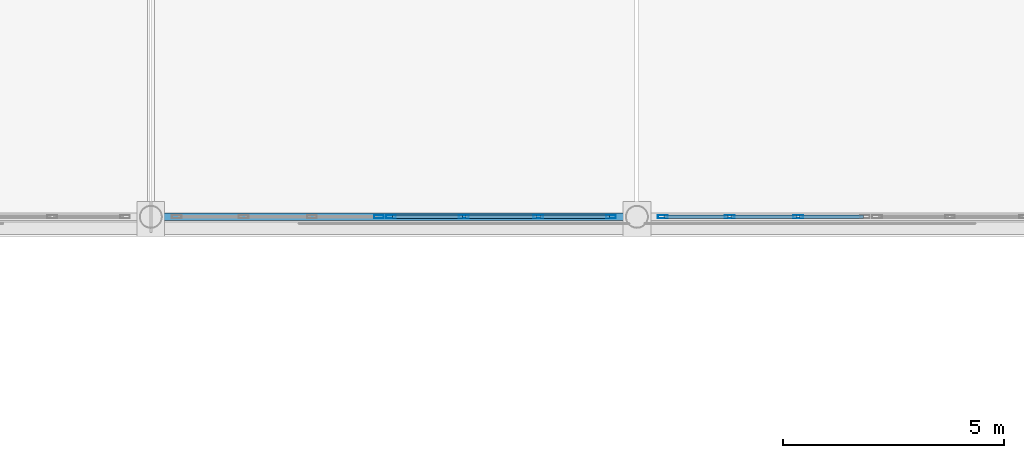
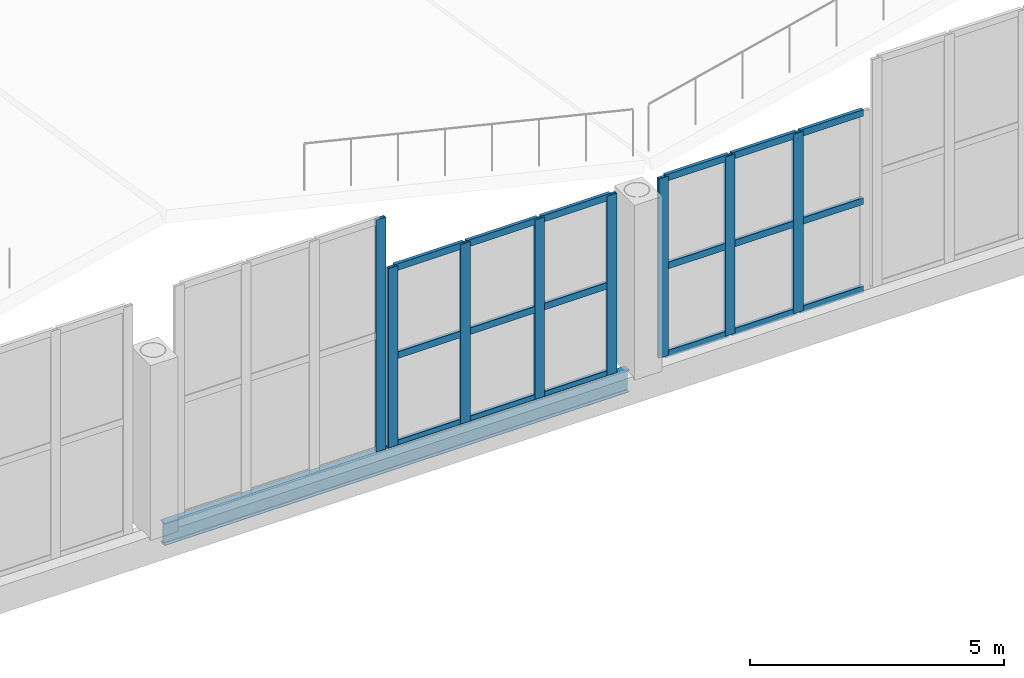
# One storey, part 16 of 120: 26 members, 1 beam, 3 elements without a shape of their own.
"""IFC4 building model written with IfcOpenShell, lengths in metres."""

from ifc_helpers import new_model, si_unit, direction, frame, origin, origin_2d, place, context, subcontext, project, spatial, hollow_rectangle, i_section, extrude, material, material_profile, profile_set, type_object, element, aggregate, save


model = new_model("IFC4")

# Units and contexts
model_context = context("Model", 3, precision=1e-05, world=origin(), true_north=direction((0.0, 1.0)))
body_context = subcontext(model_context, "Body", "Model", "MODEL_VIEW")
ifc_project = project(units=[si_unit("LENGTHUNIT", "METRE"), si_unit("AREAUNIT", "SQUARE_METRE"), si_unit("VOLUMEUNIT", "CUBIC_METRE"), si_unit("PLANEANGLEUNIT", "RADIAN"), si_unit("MASSUNIT", "GRAM", prefix="KILO")], contexts=[model_context])

# Site, building, storey
site_placement = place(None, origin())
site = spatial("IfcSite", under=ifc_project, at=site_placement, CompositionType="ELEMENT")
building_placement = place(site_placement, origin())
building = spatial("IfcBuilding", under=site, at=building_placement, Name="Caurita Quay Ferry Terminal", CompositionType="ELEMENT")
storey_placement = place(building_placement, frame((0.0, 0.0, 9.89990234375)))
storey = spatial("IfcBuildingStorey", under=building, at=storey_placement, Name="L02", CompositionType="ELEMENT", Elevation=9.89990234375)

# Beam
ifc_material_1 = material(Name="Structural steel ASTM A992 Gr. 50", Category="steel")
ifc_material_profile_1 = material_profile(ifc_material_1, i_section(OverallWidth=0.16650390625, OverallDepth=0.535888671875, WebThickness=0.01025390625, FlangeThickness=0.0166015625, FilletRadius=0.013916015625, at=origin_2d()), Name="W21X57")
ifc_profile_set_1 = profile_set([ifc_material_profile_1], Name="Structural steel ASTM A992 Gr. 50")
beam_type = type_object("IfcBeamType", Name="BM-SP-W21B", PredefinedType="SPANDREL", material=ifc_profile_set_1)
beam_placement = place(storey_placement, frame((33.219970703125, 34.60009765625, -0.267822265625), z_axis=(1.0, 0.0, 0.0), x_axis=(0.0, 1.0, 0.0)))
element("IfcBeam", 1, at=beam_placement, inside=storey, type_object=beam_type, Name="V1 Waterside Clerestory Sill Spandrel 33", PredefinedType="SPANDREL", context=body_context, shape_type="SweptSolid", body=[
    extrude(i_section(OverallWidth=0.16650390625, OverallDepth=0.535888671875, WebThickness=0.01025390625, FlangeThickness=0.0166015625, FilletRadius=0.013916015625, at=origin_2d()), origin(), (0.0, 0.0, 1.0), 10.56005859375),
])

# Curtain wall, member
ifc_material_2 = material(Name="Laminated solar-control insulated glass", Category="glass")
curtain_wall_type_1 = type_object("IfcCurtainWallType", Name="CW-SYS-03", PredefinedType="NOTDEFINED", material=ifc_material_2)
curtain_wall_1_placement = place(storey_placement, origin())
curtain_wall_1 = element("IfcCurtainWall", 2, at=curtain_wall_1_placement, inside=storey, type_object=curtain_wall_type_1, Name="Folded Roof Clerestory FB-02-S3", PredefinedType="NOTDEFINED")
ifc_material_3 = material(Name="Anodized aluminium 6063-T6", Category="aluminium")
ifc_material_profile_2 = material_profile(ifc_material_3, hollow_rectangle(XDim=0.074951171875, YDim=0.219970703125, WallThickness=0.00390625, at=origin_2d()), Name="ALU-MUL-75X220")
ifc_profile_set_2 = profile_set([ifc_material_profile_2], Name="Anodized aluminium 6063-T6")
member_type_1 = type_object("IfcMemberType", Name="CW-MUL-220", PredefinedType="MULLION", material=ifc_profile_set_2)
member_1_placement = place(storey_placement, frame((38.16259765625, 34.60009765625, 0.0), z_axis=(0.0, 0.0, 1.0), x_axis=(0.0, 1.0, 0.0)))
member_1 = element("IfcMember", 3, at=member_1_placement, type_object=member_type_1, Name="CW-CLR-011 Mullion 4", PredefinedType="MULLION", context=body_context, shape_type="SweptSolid", body=[
    extrude(hollow_rectangle(XDim=0.074951171875, YDim=0.219970703125, WallThickness=0.00390625, at=origin_2d()), origin(), (0.0, 0.0, 1.0), 5.572998046875),
])
aggregate(curtain_wall_1, [member_1])

# Curtain wall, members
curtain_wall_type_2 = type_object("IfcCurtainWallType", Name="CW-SYS-04", PredefinedType="NOTDEFINED", material=ifc_material_2)
curtain_wall_2_placement = place(storey_placement, origin())
curtain_wall_2 = element("IfcCurtainWall", 4, at=curtain_wall_2_placement, inside=storey, type_object=curtain_wall_type_2, Name="Folded Roof Clerestory FB-02-S4", PredefinedType="NOTDEFINED")
member_2_placement = place(storey_placement, frame((38.4375, 34.60009765625, 0.0), z_axis=(0.0, 0.0, 1.0), x_axis=(0.0, 1.0, 0.0)))
member_2 = element("IfcMember", 5, at=member_2_placement, type_object=member_type_1, Name="CW-CLR-012 Mullion 1", PredefinedType="MULLION", context=body_context, shape_type="SweptSolid", body=[
    extrude(hollow_rectangle(XDim=0.074951171875, YDim=0.219970703125, WallThickness=0.00390625, at=origin_2d()), origin(), (0.0, 0.0, 1.0), 4.31298828125),
])
member_3_placement = place(storey_placement, frame((40.083251953125, 34.60009765625, 0.0), z_axis=(0.0, 0.0, 1.0), x_axis=(0.0, 1.0, 0.0)))
member_3 = element("IfcMember", 6, at=member_3_placement, type_object=member_type_1, Name="CW-CLR-012 Mullion 2", PredefinedType="MULLION", context=body_context, shape_type="SweptSolid", body=[
    extrude(hollow_rectangle(XDim=0.074951171875, YDim=0.219970703125, WallThickness=0.00390625, at=origin_2d()), origin(), (0.0, 0.0, 1.0), 4.31298828125),
])
member_4_placement = place(storey_placement, frame((41.7666015625, 34.60009765625, 0.0), z_axis=(0.0, 0.0, 1.0), x_axis=(0.0, 1.0, 0.0)))
member_4 = element("IfcMember", 7, at=member_4_placement, type_object=member_type_1, Name="CW-CLR-012 Mullion 3", PredefinedType="MULLION", context=body_context, shape_type="SweptSolid", body=[
    extrude(hollow_rectangle(XDim=0.074951171875, YDim=0.219970703125, WallThickness=0.00390625, at=origin_2d()), origin(), (0.0, 0.0, 1.0), 4.31298828125),
])
member_5_placement = place(storey_placement, frame((43.41259765625, 34.60009765625, 0.0), z_axis=(0.0, 0.0, 1.0), x_axis=(0.0, 1.0, 0.0)))
member_5 = element("IfcMember", 8, at=member_5_placement, type_object=member_type_1, Name="CW-CLR-012 Mullion 4", PredefinedType="MULLION", context=body_context, shape_type="SweptSolid", body=[
    extrude(hollow_rectangle(XDim=0.074951171875, YDim=0.219970703125, WallThickness=0.00390625, at=origin_2d()), origin(), (0.0, 0.0, 1.0), 4.31298828125),
])

curtain_wall_type_3 = type_object("IfcCurtainWallType", Name="CW-SYS-01", PredefinedType="NOTDEFINED", material=ifc_material_2)
curtain_wall_3_placement = place(storey_placement, origin())
curtain_wall_3 = element("IfcCurtainWall", 9, at=curtain_wall_3_placement, inside=storey, type_object=curtain_wall_type_3, Name="Folded Roof Clerestory FB-03-S1", PredefinedType="NOTDEFINED")
member_6_placement = place(storey_placement, frame((44.58740234375, 34.60009765625, 0.0), z_axis=(0.0, 0.0, 1.0), x_axis=(0.0, 1.0, 0.0)))
member_6 = element("IfcMember", 10, at=member_6_placement, type_object=member_type_1, Name="CW-CLR-017 Mullion 1", PredefinedType="MULLION", context=body_context, shape_type="SweptSolid", body=[
    extrude(hollow_rectangle(XDim=0.074951171875, YDim=0.219970703125, WallThickness=0.00390625, at=origin_2d()), origin(), (0.0, 0.0, 1.0), 4.31298828125),
])
member_7_placement = place(storey_placement, frame((46.10009765625, 34.60009765625, 0.0), z_axis=(0.0, 0.0, 1.0), x_axis=(0.0, 1.0, 0.0)))
member_7 = element("IfcMember", 11, at=member_7_placement, type_object=member_type_1, Name="CW-CLR-017 Mullion 2", PredefinedType="MULLION", context=body_context, shape_type="SweptSolid", body=[
    extrude(hollow_rectangle(XDim=0.074951171875, YDim=0.219970703125, WallThickness=0.00390625, at=origin_2d()), origin(), (0.0, 0.0, 1.0), 4.31298828125),
])
member_8_placement = place(storey_placement, frame((47.64990234375, 34.60009765625, 0.0), z_axis=(0.0, 0.0, 1.0), x_axis=(0.0, 1.0, 0.0)))
member_8 = element("IfcMember", 12, at=member_8_placement, type_object=member_type_1, Name="CW-CLR-017 Mullion 3", PredefinedType="MULLION", context=body_context, shape_type="SweptSolid", body=[
    extrude(hollow_rectangle(XDim=0.074951171875, YDim=0.219970703125, WallThickness=0.00390625, at=origin_2d()), origin(), (0.0, 0.0, 1.0), 4.31298828125),
])

# Member
ifc_material_profile_3 = material_profile(ifc_material_3, hollow_rectangle(XDim=0.074951171875, YDim=0.159912109375, WallThickness=0.00390625, at=origin_2d()), Name="ALU-TRN-75X160")
ifc_profile_set_3 = profile_set([ifc_material_profile_3], Name="Anodized aluminium 6063-T6")
member_type_2 = type_object("IfcMemberType", Name="CW-TRN-160", PredefinedType="USERDEFINED", material=ifc_profile_set_3)
member_9_placement = place(storey_placement, frame((38.472900390625, 34.60009765625, 0.03759765625), z_axis=(1.0, 0.0, 0.0), x_axis=(0.0, 1.0, 0.0)))
member_9 = element("IfcMember", 13, at=member_9_placement, type_object=member_type_2, Name="CW-CLR-012 Transom 1", ObjectType="TRANSOM", PredefinedType="USERDEFINED", context=body_context, shape_type="SweptSolid", body=[
    extrude(hollow_rectangle(XDim=0.074951171875, YDim=0.159912109375, WallThickness=0.00390625, at=origin_2d()), origin(), (0.0, 0.0, 1.0), 1.574951171875),
])

member_10_placement = place(storey_placement, frame((38.472900390625, 34.60009765625, 2.156494140625), z_axis=(1.0, 0.0, 0.0), x_axis=(0.0, 1.0, 0.0)))
member_10 = element("IfcMember", 14, at=member_10_placement, type_object=member_type_2, Name="CW-CLR-012 Transom 2", ObjectType="TRANSOM", PredefinedType="USERDEFINED", context=body_context, shape_type="SweptSolid", body=[
    extrude(hollow_rectangle(XDim=0.074951171875, YDim=0.159912109375, WallThickness=0.00390625, at=origin_2d()), origin(), (0.0, 0.0, 1.0), 1.574951171875),
])

member_11_placement = place(storey_placement, frame((38.472900390625, 34.60009765625, 4.275634765625), z_axis=(1.0, 0.0, 0.0), x_axis=(0.0, 1.0, 0.0)))
member_11 = element("IfcMember", 15, at=member_11_placement, type_object=member_type_2, Name="CW-CLR-012 Transom 3", ObjectType="TRANSOM", PredefinedType="USERDEFINED", context=body_context, shape_type="SweptSolid", body=[
    extrude(hollow_rectangle(XDim=0.074951171875, YDim=0.159912109375, WallThickness=0.00390625, at=origin_2d()), origin(), (0.0, 0.0, 1.0), 1.574951171875),
])

member_12_placement = place(storey_placement, frame((40.118896484375, 34.60009765625, 0.03759765625), z_axis=(1.0, 0.0, 0.0), x_axis=(0.0, 1.0, 0.0)))
member_12 = element("IfcMember", 16, at=member_12_placement, type_object=member_type_2, Name="CW-CLR-012 Transom 4", ObjectType="TRANSOM", PredefinedType="USERDEFINED", context=body_context, shape_type="SweptSolid", body=[
    extrude(hollow_rectangle(XDim=0.074951171875, YDim=0.159912109375, WallThickness=0.00390625, at=origin_2d()), origin(), (0.0, 0.0, 1.0), 1.6123046875),
])

member_13_placement = place(storey_placement, frame((40.118896484375, 34.60009765625, 2.156494140625), z_axis=(1.0, 0.0, 0.0), x_axis=(0.0, 1.0, 0.0)))
member_13 = element("IfcMember", 17, at=member_13_placement, type_object=member_type_2, Name="CW-CLR-012 Transom 5", ObjectType="TRANSOM", PredefinedType="USERDEFINED", context=body_context, shape_type="SweptSolid", body=[
    extrude(hollow_rectangle(XDim=0.074951171875, YDim=0.159912109375, WallThickness=0.00390625, at=origin_2d()), origin(), (0.0, 0.0, 1.0), 1.6123046875),
])

member_14_placement = place(storey_placement, frame((40.118896484375, 34.60009765625, 4.275634765625), z_axis=(1.0, 0.0, 0.0), x_axis=(0.0, 1.0, 0.0)))
member_14 = element("IfcMember", 18, at=member_14_placement, type_object=member_type_2, Name="CW-CLR-012 Transom 6", ObjectType="TRANSOM", PredefinedType="USERDEFINED", context=body_context, shape_type="SweptSolid", body=[
    extrude(hollow_rectangle(XDim=0.074951171875, YDim=0.159912109375, WallThickness=0.00390625, at=origin_2d()), origin(), (0.0, 0.0, 1.0), 1.6123046875),
])

member_15_placement = place(storey_placement, frame((41.80224609375, 34.60009765625, 0.03759765625), z_axis=(1.0, 0.0, 0.0), x_axis=(0.0, 1.0, 0.0)))
member_15 = element("IfcMember", 19, at=member_15_placement, type_object=member_type_2, Name="CW-CLR-012 Transom 7", ObjectType="TRANSOM", PredefinedType="USERDEFINED", context=body_context, shape_type="SweptSolid", body=[
    extrude(hollow_rectangle(XDim=0.074951171875, YDim=0.159912109375, WallThickness=0.00390625, at=origin_2d()), origin(), (0.0, 0.0, 1.0), 1.57470703125),
])

member_16_placement = place(storey_placement, frame((41.80224609375, 34.60009765625, 2.156494140625), z_axis=(1.0, 0.0, 0.0), x_axis=(0.0, 1.0, 0.0)))
member_16 = element("IfcMember", 20, at=member_16_placement, type_object=member_type_2, Name="CW-CLR-012 Transom 8", ObjectType="TRANSOM", PredefinedType="USERDEFINED", context=body_context, shape_type="SweptSolid", body=[
    extrude(hollow_rectangle(XDim=0.074951171875, YDim=0.159912109375, WallThickness=0.00390625, at=origin_2d()), origin(), (0.0, 0.0, 1.0), 1.57470703125),
])

member_17_placement = place(storey_placement, frame((41.80224609375, 34.60009765625, 4.275634765625), z_axis=(1.0, 0.0, 0.0), x_axis=(0.0, 1.0, 0.0)))
member_17 = element("IfcMember", 21, at=member_17_placement, type_object=member_type_2, Name="CW-CLR-012 Transom 9", ObjectType="TRANSOM", PredefinedType="USERDEFINED", context=body_context, shape_type="SweptSolid", body=[
    extrude(hollow_rectangle(XDim=0.074951171875, YDim=0.159912109375, WallThickness=0.00390625, at=origin_2d()), origin(), (0.0, 0.0, 1.0), 1.57470703125),
])

aggregate(curtain_wall_2, [member_2, member_3, member_4, member_5, member_9, member_10, member_11, member_12, member_13, member_14, member_15, member_16, member_17])

member_18_placement = place(storey_placement, frame((44.623046875, 34.60009765625, 0.03759765625), z_axis=(1.0, 0.0, 0.0), x_axis=(0.0, 1.0, 0.0)))
member_18 = element("IfcMember", 22, at=member_18_placement, type_object=member_type_2, Name="CW-CLR-017 Transom 1", ObjectType="TRANSOM", PredefinedType="USERDEFINED", context=body_context, shape_type="SweptSolid", body=[
    extrude(hollow_rectangle(XDim=0.074951171875, YDim=0.159912109375, WallThickness=0.00390625, at=origin_2d()), origin(), (0.0, 0.0, 1.0), 1.44140625),
])

member_19_placement = place(storey_placement, frame((44.623046875, 34.60009765625, 2.156494140625), z_axis=(1.0, 0.0, 0.0), x_axis=(0.0, 1.0, 0.0)))
member_19 = element("IfcMember", 23, at=member_19_placement, type_object=member_type_2, Name="CW-CLR-017 Transom 2", ObjectType="TRANSOM", PredefinedType="USERDEFINED", context=body_context, shape_type="SweptSolid", body=[
    extrude(hollow_rectangle(XDim=0.074951171875, YDim=0.159912109375, WallThickness=0.00390625, at=origin_2d()), origin(), (0.0, 0.0, 1.0), 1.44140625),
])

member_20_placement = place(storey_placement, frame((44.623046875, 34.60009765625, 4.275634765625), z_axis=(1.0, 0.0, 0.0), x_axis=(0.0, 1.0, 0.0)))
member_20 = element("IfcMember", 24, at=member_20_placement, type_object=member_type_2, Name="CW-CLR-017 Transom 3", ObjectType="TRANSOM", PredefinedType="USERDEFINED", context=body_context, shape_type="SweptSolid", body=[
    extrude(hollow_rectangle(XDim=0.074951171875, YDim=0.159912109375, WallThickness=0.00390625, at=origin_2d()), origin(), (0.0, 0.0, 1.0), 1.44140625),
])

member_21_placement = place(storey_placement, frame((46.135498046875, 34.60009765625, 0.03759765625), z_axis=(1.0, 0.0, 0.0), x_axis=(0.0, 1.0, 0.0)))
member_21 = element("IfcMember", 25, at=member_21_placement, type_object=member_type_2, Name="CW-CLR-017 Transom 4", ObjectType="TRANSOM", PredefinedType="USERDEFINED", context=body_context, shape_type="SweptSolid", body=[
    extrude(hollow_rectangle(XDim=0.074951171875, YDim=0.159912109375, WallThickness=0.00390625, at=origin_2d()), origin(), (0.0, 0.0, 1.0), 1.47900390625),
])

member_22_placement = place(storey_placement, frame((46.135498046875, 34.60009765625, 2.156494140625), z_axis=(1.0, 0.0, 0.0), x_axis=(0.0, 1.0, 0.0)))
member_22 = element("IfcMember", 26, at=member_22_placement, type_object=member_type_2, Name="CW-CLR-017 Transom 5", ObjectType="TRANSOM", PredefinedType="USERDEFINED", context=body_context, shape_type="SweptSolid", body=[
    extrude(hollow_rectangle(XDim=0.074951171875, YDim=0.159912109375, WallThickness=0.00390625, at=origin_2d()), origin(), (0.0, 0.0, 1.0), 1.47900390625),
])

member_23_placement = place(storey_placement, frame((46.135498046875, 34.60009765625, 4.275634765625), z_axis=(1.0, 0.0, 0.0), x_axis=(0.0, 1.0, 0.0)))
member_23 = element("IfcMember", 27, at=member_23_placement, type_object=member_type_2, Name="CW-CLR-017 Transom 6", ObjectType="TRANSOM", PredefinedType="USERDEFINED", context=body_context, shape_type="SweptSolid", body=[
    extrude(hollow_rectangle(XDim=0.074951171875, YDim=0.159912109375, WallThickness=0.00390625, at=origin_2d()), origin(), (0.0, 0.0, 1.0), 1.47900390625),
])

member_24_placement = place(storey_placement, frame((47.685546875, 34.60009765625, 0.03759765625), z_axis=(1.0, 0.0, 0.0), x_axis=(0.0, 1.0, 0.0)))
member_24 = element("IfcMember", 28, at=member_24_placement, type_object=member_type_2, Name="CW-CLR-017 Transom 7", ObjectType="TRANSOM", PredefinedType="USERDEFINED", context=body_context, shape_type="SweptSolid", body=[
    extrude(hollow_rectangle(XDim=0.074951171875, YDim=0.159912109375, WallThickness=0.00390625, at=origin_2d()), origin(), (0.0, 0.0, 1.0), 1.44140625),
])

member_25_placement = place(storey_placement, frame((47.685546875, 34.60009765625, 2.156494140625), z_axis=(1.0, 0.0, 0.0), x_axis=(0.0, 1.0, 0.0)))
member_25 = element("IfcMember", 29, at=member_25_placement, type_object=member_type_2, Name="CW-CLR-017 Transom 8", ObjectType="TRANSOM", PredefinedType="USERDEFINED", context=body_context, shape_type="SweptSolid", body=[
    extrude(hollow_rectangle(XDim=0.074951171875, YDim=0.159912109375, WallThickness=0.00390625, at=origin_2d()), origin(), (0.0, 0.0, 1.0), 1.44140625),
])

member_26_placement = place(storey_placement, frame((47.685546875, 34.60009765625, 4.275634765625), z_axis=(1.0, 0.0, 0.0), x_axis=(0.0, 1.0, 0.0)))
member_26 = element("IfcMember", 30, at=member_26_placement, type_object=member_type_2, Name="CW-CLR-017 Transom 9", ObjectType="TRANSOM", PredefinedType="USERDEFINED", context=body_context, shape_type="SweptSolid", body=[
    extrude(hollow_rectangle(XDim=0.074951171875, YDim=0.159912109375, WallThickness=0.00390625, at=origin_2d()), origin(), (0.0, 0.0, 1.0), 1.44140625),
])

aggregate(curtain_wall_3, [member_6, member_7, member_8, member_18, member_19, member_20, member_21, member_22, member_23, member_24, member_25, member_26])

save(model, "model.ifc")
